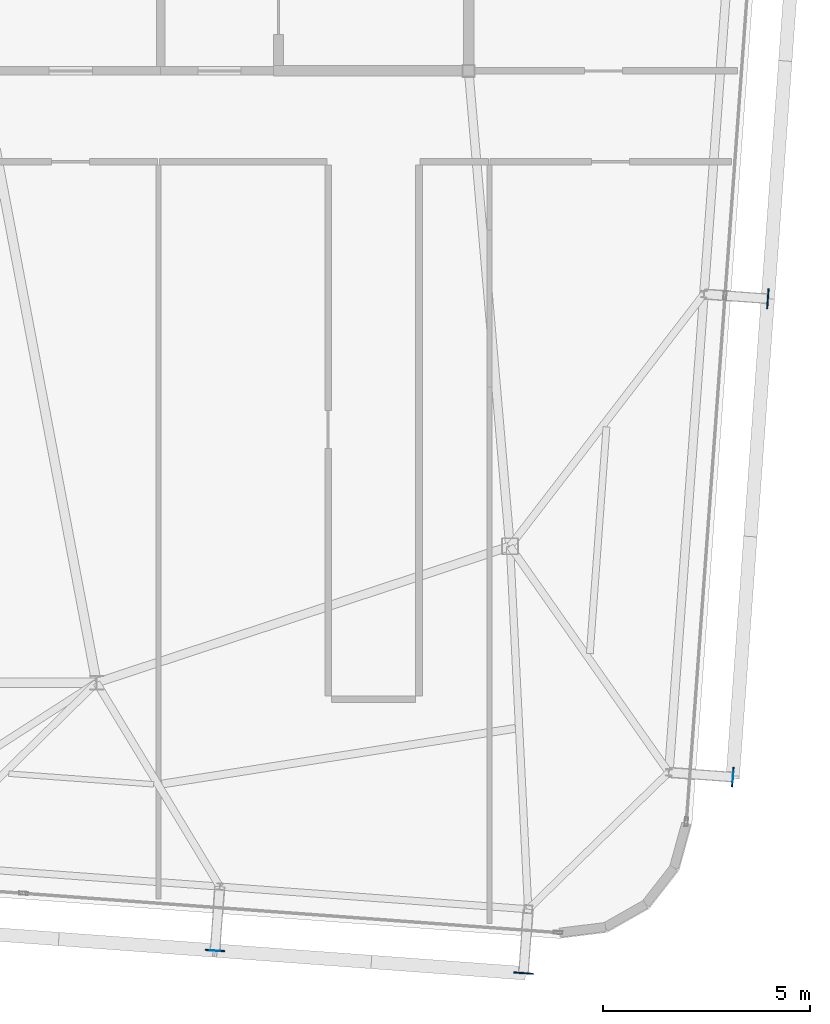
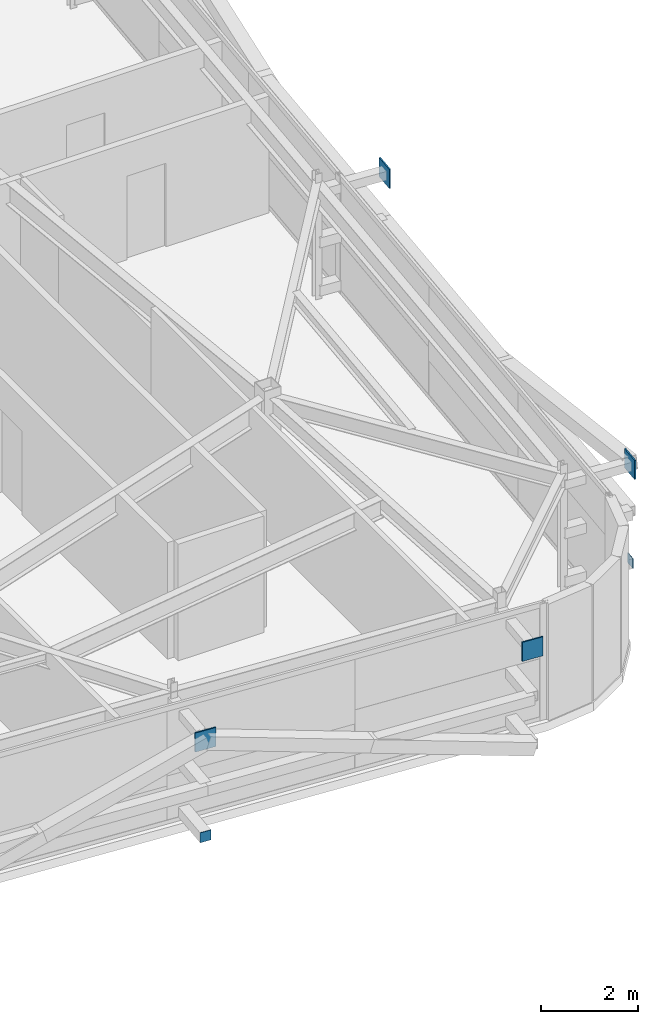
# One storey, part 27 of 34: 6 plates.
"""IFC4 building model written with IfcOpenShell, lengths in metres."""

from ifc_helpers import new_model, si_unit, direction, frame, origin, origin_2d, place, context, subcontext, project, spatial, rectangle, extrude, source, transform, mapped, material, layer, layer_set, type_object, element, save


model = new_model("IFC4")

# Units and contexts
model_context = context("Model", 3, precision=1e-05, world=origin(), true_north=direction((0.0, 1.0)))
body_context = subcontext(model_context, "Body", "Model", "MODEL_VIEW")
ifc_project = project(units=[si_unit("LENGTHUNIT", "METRE"), si_unit("AREAUNIT", "SQUARE_METRE"), si_unit("VOLUMEUNIT", "CUBIC_METRE"), si_unit("PLANEANGLEUNIT", "RADIAN"), si_unit("MASSUNIT", "GRAM", prefix="KILO")], contexts=[model_context])

# Site, building, storey
site_placement = place(None, origin())
site = spatial("IfcSite", under=ifc_project, at=site_placement, CompositionType="ELEMENT")
building_placement = place(site_placement, origin())
building = spatial("IfcBuilding", under=site, at=building_placement, Name="Taldren Reach Tower", CompositionType="ELEMENT")
storey_placement = place(building_placement, frame((0.0, 0.0, 239.75)))
storey = spatial("IfcBuildingStorey", under=building, at=storey_placement, Name="L73", CompositionType="ELEMENT", Elevation=239.75)

# Plates
ifc_material_1 = material(Name="Steel Gr 350 (C350L0)", Category="steel")
ifc_layer_1 = layer(ifc_material_1, 0.011962890625)
ifc_layer_set_1 = layer_set([ifc_layer_1], Name="Steel Gr 350 (C350L0)")
plate_type_1 = type_object("IfcPlateType", Name="PL-CAP-250", PredefinedType="SHEET", material=ifc_layer_set_1)
shared_shape_1 = source(origin(), body_context, "Body", "SweptSolid", [
    extrude(rectangle(XDim=0.25, YDim=0.011962890625, at=origin_2d()), origin(), (0.0, 0.0, 1.0), 0.25),
])
plate_1_placement = place(storey_placement, frame((44.866455078125, 2.717041015625, 0.094970703125), z_axis=(0.0, 0.0, 1.0), x_axis=(0.997314477224, -0.073238197128, 0.0)))
element("IfcPlate", 1, at=plate_1_placement, inside=storey, type_object=plate_type_1, Name="Tie strut end cap plate B5-S5 L73", PredefinedType="SHEET", context=body_context, shape_type="MappedRepresentation", body=[
    mapped(shared_shape_1, transform((0.0, 0.0, 0.0), scale=1.0)),
])
shared_shape_2 = source(origin(), body_context, "Body", "SweptSolid", [
    extrude(rectangle(XDim=0.011962890625, YDim=0.25, at=origin_2d()), origin(), (0.0, 0.0, 1.0), 0.25),
])
plate_2_placement = place(storey_placement, frame((57.3935546875, 6.9169921875, 0.094970703125), z_axis=(0.0, 0.0, 1.0), x_axis=(0.997314477224, -0.073238197128, 0.0)))
element("IfcPlate", 2, at=plate_2_placement, inside=storey, type_object=plate_type_1, Name="Tie strut end cap plate B5-E1 L73", PredefinedType="SHEET", context=body_context, shape_type="MappedRepresentation", body=[
    mapped(shared_shape_2, transform((0.0, 0.0, 0.0), scale=1.0)),
])
ifc_material_2 = material(Name="Steel Gr 450 (C450L0)", Category="steel")
ifc_layer_2 = layer(ifc_material_2, 0.031982421875)
ifc_layer_set_2 = layer_set([ifc_layer_2], Name="Steel Gr 450 (C450L0)")
plate_type_2 = type_object("IfcPlateType", Name="PL-GUSSET-32", PredefinedType="SHEET", material=ifc_layer_set_2)
shared_shape_3 = source(origin(), body_context, "Body", "SweptSolid", [
    extrude(rectangle(XDim=0.47998046875, YDim=0.031982421875, at=origin_2d()), origin(), (0.0, 0.0, 1.0), 0.47998046875),
])
for number, where, z_axis, x_axis, name in (
    (3, (44.86669921875, 2.72314453125, 2.409912109375), (0.0, 0.0, 1.0), (0.997314477224, -0.073238197128, 0.0), "Exoskeleton star-node gusset plate B5-S5 L73"),
    (4, (52.32666015625, 2.17529296875, 2.409912109375), (0.0, 0.0, 1.0), (0.997314477224, -0.073238197128, 0.0), "Exoskeleton star-node gusset plate B5-S6 L73"),
    (5, (57.3876953125, 6.91748046875, 2.409912109375), (0.0, 0.0, 1.0), (0.073238197128, 0.997314477224, 0.0), "Exoskeleton star-node gusset plate B5-E1 L73"),
    (6, (58.237060546875, 18.486328125, 2.409912109375), (0.0, 0.0, 1.0), (0.073238197128, 0.997314477224, 0.0), "Exoskeleton star-node gusset plate B5-E2 L73"),
):
    element("IfcPlate", number, at=place(storey_placement, frame(where, z_axis=z_axis, x_axis=x_axis)), inside=storey, type_object=plate_type_2, Name=name, PredefinedType="SHEET", context=body_context, shape_type="MappedRepresentation", body=[
        mapped(shared_shape_3, transform((0.0, 0.0, 0.0), scale=1.0)),
    ])

save(model, "model.ifc")
